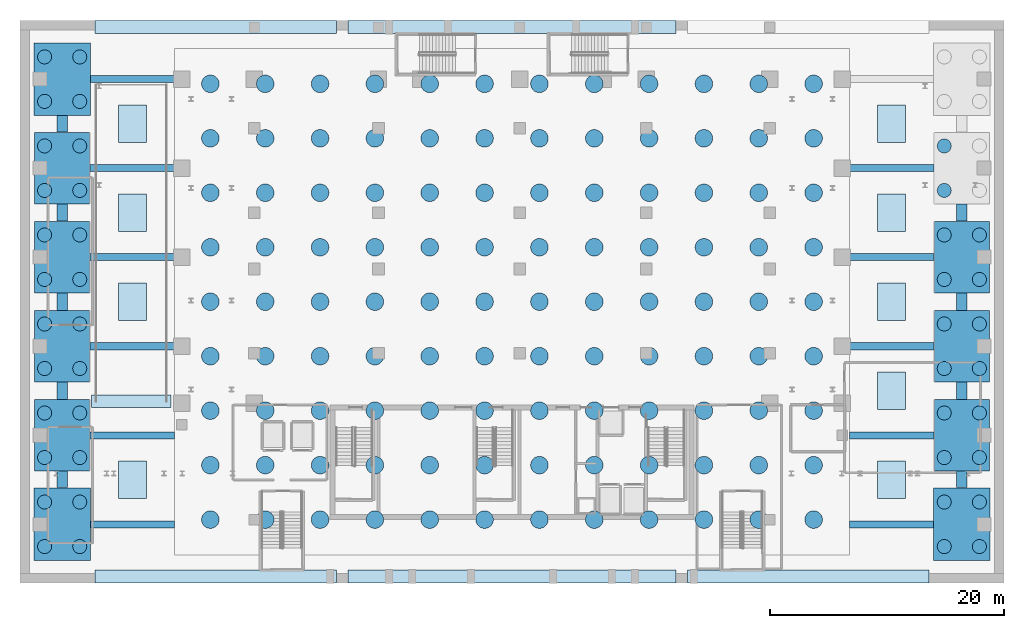
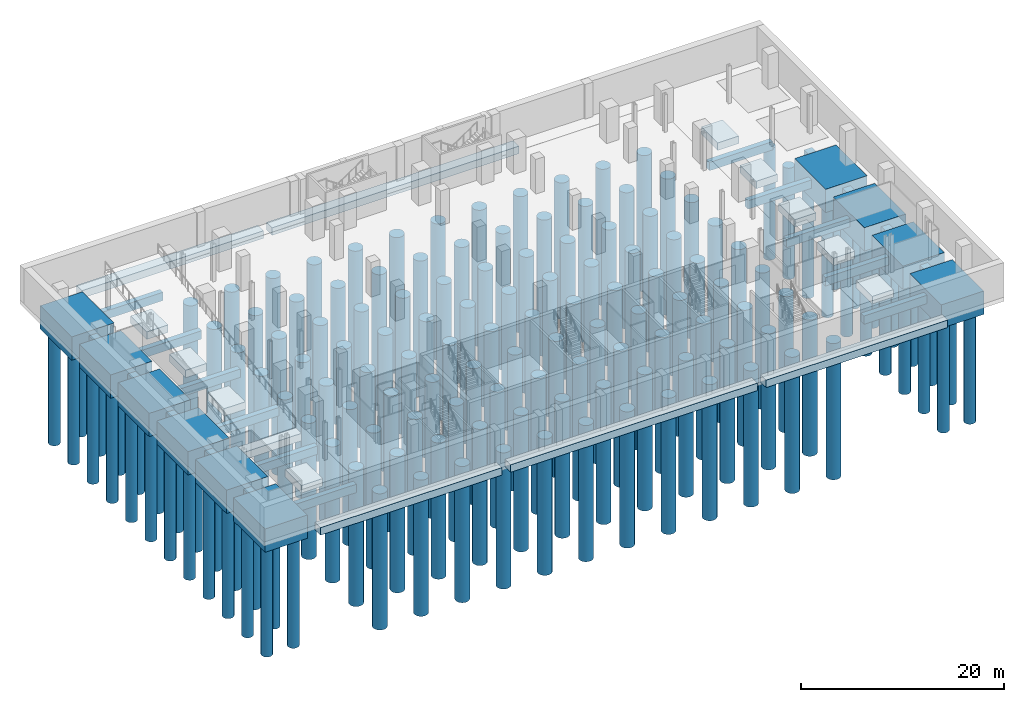
# One storey, part 1 of 18: 150 piles, 45 footings.
"""IFC4 building model written with IfcOpenShell, lengths in metres."""

from ifc_helpers import new_model, si_unit, direction, frame, origin, origin_2d, place, context, subcontext, project, spatial, rectangle, circle, extrude, material, material_profile, profile_set, type_object, element, save


model = new_model("IFC4")

# Units and contexts
model_context = context("Model", 3, precision=1e-05, world=origin(), true_north=direction((0.0, 1.0)))
body_context = subcontext(model_context, "Body", "Model", "MODEL_VIEW")
ifc_project = project(units=[si_unit("LENGTHUNIT", "METRE"), si_unit("AREAUNIT", "SQUARE_METRE"), si_unit("VOLUMEUNIT", "CUBIC_METRE"), si_unit("PLANEANGLEUNIT", "RADIAN"), si_unit("MASSUNIT", "GRAM", prefix="KILO")], contexts=[model_context])

# Site, building, storey
site_placement = place(None, origin())
site = spatial("IfcSite", under=ifc_project, at=site_placement, CompositionType="ELEMENT")
building_placement = place(site_placement, origin())
building = spatial("IfcBuilding", under=site, at=building_placement, Name="Ndaravel Arena Tower", CompositionType="ELEMENT")
storey_placement = place(building_placement, frame((0.0, 0.0, -9.0)))
storey = spatial("IfcBuildingStorey", under=building, at=storey_placement, Name="B02", CompositionType="ELEMENT", Elevation=-9.0)

# Footings
ifc_material_1 = material(Name="Concrete C40/50", Category="concrete")
ifc_material_profile_1 = material_profile(ifc_material_1, rectangle(XDim=0.89990234375, YDim=1.199951171875, at=origin_2d()), Name="RC 900x1200")
ifc_profile_set_1 = profile_set([ifc_material_profile_1], Name="Concrete C40/50")
footing_type_1 = type_object("IfcFootingType", Name="FTG-GB1", PredefinedType="FOOTING_BEAM", material=ifc_profile_set_1)
footing_1_placement = place(storey_placement, frame((3.60009765625, 8.1201171875, -1.1201171875), z_axis=(0.0, 1.0, 0.0), x_axis=(-1.0, 0.0, 0.0)))
element("IfcFooting", 1, at=footing_1_placement, inside=storey, type_object=footing_type_1, Name="Ground Tie Beam 01", PredefinedType="FOOTING_BEAM", context=body_context, shape_type="SweptSolid", body=[
    extrude(rectangle(XDim=0.89990234375, YDim=1.199951171875, at=origin_2d()), origin(), (0.0, 0.0, 1.0), 1.409912109375),
])
for number, where, z_axis, x_axis, name in (
    (2, (3.60009765625, 15.669921875, -1.1201171875), (0.0, 1.0, 0.0), (-1.0, 0.0, 0.0), "Ground Tie Beam 02"),
    (3, (3.60009765625, 23.27001953125, -1.1201171875), (0.0, 1.0, 0.0), (-1.0, 0.0, 0.0), "Ground Tie Beam 03"),
    (4, (3.60009765625, 30.8701171875, -1.1201171875), (0.0, 1.0, 0.0), (-1.0, 0.0, 0.0), "Ground Tie Beam 04"),
):
    element("IfcFooting", number, at=place(storey_placement, frame(where, z_axis=z_axis, x_axis=x_axis)), inside=storey, type_object=footing_type_1, Name=name, PredefinedType="FOOTING_BEAM", context=body_context, shape_type="SweptSolid", body=[
        extrude(rectangle(XDim=0.89990234375, YDim=1.199951171875, at=origin_2d()), origin(), (0.0, 0.0, 1.0), 1.4599609375),
    ])
for number, where, z_axis, x_axis, name in (
    (5, (3.60009765625, 38.469970703125, -1.1201171875), (0.0, 1.0, 0.0), (-1.0, 0.0, 0.0), "Ground Tie Beam 05"),
    (6, (80.39990234375, 8.1201171875, -1.1201171875), (0.0, 1.0, 0.0), (-1.0, 0.0, 0.0), "Ground Tie Beam 12"),
):
    element("IfcFooting", number, at=place(storey_placement, frame(where, z_axis=z_axis, x_axis=x_axis)), inside=storey, type_object=footing_type_1, Name=name, PredefinedType="FOOTING_BEAM", context=body_context, shape_type="SweptSolid", body=[
        extrude(rectangle(XDim=0.89990234375, YDim=1.199951171875, at=origin_2d()), origin(), (0.0, 0.0, 1.0), 1.409912109375),
    ])
for number, where, z_axis, x_axis, name in (
    (7, (80.39990234375, 15.669921875, -1.1201171875), (0.0, 1.0, 0.0), (-1.0, 0.0, 0.0), "Ground Tie Beam 13"),
    (8, (80.39990234375, 23.27001953125, -1.1201171875), (0.0, 1.0, 0.0), (-1.0, 0.0, 0.0), "Ground Tie Beam 14"),
    (9, (80.39990234375, 30.8701171875, -1.1201171875), (0.0, 1.0, 0.0), (-1.0, 0.0, 0.0), "Ground Tie Beam 15"),
):
    element("IfcFooting", number, at=place(storey_placement, frame(where, z_axis=z_axis, x_axis=x_axis)), inside=storey, type_object=footing_type_1, Name=name, PredefinedType="FOOTING_BEAM", context=body_context, shape_type="SweptSolid", body=[
        extrude(rectangle(XDim=0.89990234375, YDim=1.199951171875, at=origin_2d()), origin(), (0.0, 0.0, 1.0), 1.4599609375),
    ])
ifc_material_2 = material(Name="Concrete C40/50", Category="concrete")
ifc_material_profile_2 = material_profile(ifc_material_2, rectangle(XDim=0.60009765625, YDim=1.0, at=origin_2d()), Name="RC 600x1000")
ifc_profile_set_2 = profile_set([ifc_material_profile_2], Name="Concrete C40/50")
footing_type_2 = type_object("IfcFootingType", Name="FTG-GB2", PredefinedType="FOOTING_BEAM", material=ifc_profile_set_2)
footing_2_placement = place(storey_placement, frame((6.02001953125, 5.0, -1.02001953125), z_axis=(1.0, 0.0, 0.0), x_axis=(0.0, 1.0, 0.0)))
element("IfcFooting", 10, at=footing_2_placement, inside=storey, type_object=footing_type_2, Name="Ground Tie Beam 06", PredefinedType="FOOTING_BEAM", context=body_context, shape_type="SweptSolid", body=[
    extrude(rectangle(XDim=0.60009765625, YDim=1.0, at=origin_2d()), origin(), (0.0, 0.0, 1.0), 7.159912109375),
])
for number, where, z_axis, x_axis, name in (
    (11, (5.969970703125, 12.60009765625, -1.02001953125), (1.0, 0.0, 0.0), (0.0, 1.0, 0.0), "Ground Tie Beam 07"),
    (12, (5.969970703125, 20.199951171875, -1.02001953125), (1.0, 0.0, 0.0), (0.0, 1.0, 0.0), "Ground Tie Beam 08"),
    (13, (5.969970703125, 27.800048828125, -1.02001953125), (1.0, 0.0, 0.0), (0.0, 1.0, 0.0), "Ground Tie Beam 09"),
    (14, (5.969970703125, 35.39990234375, -1.02001953125), (1.0, 0.0, 0.0), (0.0, 1.0, 0.0), "Ground Tie Beam 10"),
):
    element("IfcFooting", number, at=place(storey_placement, frame(where, z_axis=z_axis, x_axis=x_axis)), inside=storey, type_object=footing_type_2, Name=name, PredefinedType="FOOTING_BEAM", context=body_context, shape_type="SweptSolid", body=[
        extrude(rectangle(XDim=0.60009765625, YDim=1.0, at=origin_2d()), origin(), (0.0, 0.0, 1.0), 7.2099609375),
    ])
for number, where, z_axis, x_axis, name in (
    (15, (6.02001953125, 43.0, -1.02001953125), (1.0, 0.0, 0.0), (0.0, 1.0, 0.0), "Ground Tie Beam 11"),
    (16, (70.820068359375, 5.0, -1.02001953125), (1.0, 0.0, 0.0), (0.0, 1.0, 0.0), "Ground Tie Beam 17"),
):
    element("IfcFooting", number, at=place(storey_placement, frame(where, z_axis=z_axis, x_axis=x_axis)), inside=storey, type_object=footing_type_2, Name=name, PredefinedType="FOOTING_BEAM", context=body_context, shape_type="SweptSolid", body=[
        extrude(rectangle(XDim=0.60009765625, YDim=1.0, at=origin_2d()), origin(), (0.0, 0.0, 1.0), 7.159912109375),
    ])
for number, where, z_axis, x_axis, name in (
    (17, (70.820068359375, 12.60009765625, -1.02001953125), (1.0, 0.0, 0.0), (0.0, 1.0, 0.0), "Ground Tie Beam 18"),
    (18, (70.820068359375, 20.199951171875, -1.02001953125), (1.0, 0.0, 0.0), (0.0, 1.0, 0.0), "Ground Tie Beam 19"),
    (19, (70.820068359375, 27.800048828125, -1.02001953125), (1.0, 0.0, 0.0), (0.0, 1.0, 0.0), "Ground Tie Beam 20"),
    (20, (70.820068359375, 35.39990234375, -1.02001953125), (1.0, 0.0, 0.0), (0.0, 1.0, 0.0), "Ground Tie Beam 21"),
):
    element("IfcFooting", number, at=place(storey_placement, frame(where, z_axis=z_axis, x_axis=x_axis)), inside=storey, type_object=footing_type_2, Name=name, PredefinedType="FOOTING_BEAM", context=body_context, shape_type="SweptSolid", body=[
        extrude(rectangle(XDim=0.60009765625, YDim=1.0, at=origin_2d()), origin(), (0.0, 0.0, 1.0), 7.2099609375),
    ])
ifc_material_3 = material(Name="Concrete C40/50", Category="concrete")
footing_type_3 = type_object("IfcFootingType", Name="FTG-PAD1", PredefinedType="PAD_FOOTING", material=ifc_material_3)
for number, where, z_axis, x_axis, name in (
    (21, (9.60009765625, 8.800048828125, -1.419921875), (0.0, 0.0, 1.0), (1.0, 0.0, 0.0), "Substructure Bearing Pad Footing 01"),
    (22, (9.60009765625, 24.0, -1.419921875), (0.0, 0.0, 1.0), (1.0, 0.0, 0.0), "Substructure Bearing Pad Footing 02"),
    (23, (9.60009765625, 31.60009765625, -1.419921875), (0.0, 0.0, 1.0), (1.0, 0.0, 0.0), "Substructure Bearing Pad Footing 03"),
    (24, (9.60009765625, 39.199951171875, -1.419921875), (0.0, 0.0, 1.0), (1.0, 0.0, 0.0), "Substructure Bearing Pad Footing 04"),
    (25, (74.39990234375, 8.800048828125, -1.419921875), (0.0, 0.0, 1.0), (1.0, 0.0, 0.0), "Substructure Bearing Pad Footing 05"),
    (26, (74.39990234375, 16.39990234375, -1.419921875), (0.0, 0.0, 1.0), (1.0, 0.0, 0.0), "Substructure Bearing Pad Footing 06"),
    (27, (74.39990234375, 24.0, -1.419921875), (0.0, 0.0, 1.0), (1.0, 0.0, 0.0), "Substructure Bearing Pad Footing 07"),
    (28, (74.39990234375, 31.60009765625, -1.419921875), (0.0, 0.0, 1.0), (1.0, 0.0, 0.0), "Substructure Bearing Pad Footing 08"),
    (29, (74.39990234375, 39.199951171875, -1.419921875), (0.0, 0.0, 1.0), (1.0, 0.0, 0.0), "Substructure Bearing Pad Footing 09"),
):
    element("IfcFooting", number, at=place(storey_placement, frame(where, z_axis=z_axis, x_axis=x_axis)), inside=storey, type_object=footing_type_3, Name=name, PredefinedType="PAD_FOOTING", context=body_context, shape_type="SweptSolid", body=[
        extrude(rectangle(XDim=2.39990234375, YDim=3.199951171875, at=origin_2d()), origin(), (0.0, 0.0, 1.0), 0.89990234375),
    ])
ifc_material_4 = material(Name="Concrete C40/50", Category="concrete")
footing_type_4 = type_object("IfcFootingType", Name="FTG-PC1", PredefinedType="PILE_CAP", material=ifc_material_4)
for number, where, z_axis, x_axis, name in (
    (30, (3.60009765625, 5.0, -2.7998046875), (0.0, 0.0, 1.0), (1.0, 0.0, 0.0), "Pile Cap PCAP-W01"),
    (31, (3.60009765625, 43.0, -2.7998046875), (0.0, 0.0, 1.0), (1.0, 0.0, 0.0), "Pile Cap PCAP-W06"),
    (32, (80.39990234375, 5.0, -2.7998046875), (0.0, 0.0, 1.0), (1.0, 0.0, 0.0), "Pile Cap PCAP-E01"),
):
    element("IfcFooting", number, at=place(storey_placement, frame(where, z_axis=z_axis, x_axis=x_axis)), inside=storey, type_object=footing_type_4, Name=name, PredefinedType="PILE_CAP", context=body_context, shape_type="SweptSolid", body=[
        extrude(rectangle(XDim=4.800048828125, YDim=6.199951171875, at=origin_2d()), origin(), (0.0, 0.0, 1.0), 2.800048828125),
    ])
ifc_material_5 = material(Name="Concrete C40/50", Category="concrete")
footing_type_5 = type_object("IfcFootingType", Name="FTG-PC2", PredefinedType="PILE_CAP", material=ifc_material_5)
for number, where, z_axis, x_axis, name in (
    (33, (3.60009765625, 12.60009765625, -2.7998046875), (0.0, 0.0, 1.0), (1.0, 0.0, 0.0), "Pile Cap PCAP-W02"),
    (34, (3.60009765625, 20.199951171875, -2.7998046875), (0.0, 0.0, 1.0), (1.0, 0.0, 0.0), "Pile Cap PCAP-W03"),
    (35, (3.60009765625, 27.800048828125, -2.7998046875), (0.0, 0.0, 1.0), (1.0, 0.0, 0.0), "Pile Cap PCAP-W04"),
    (36, (3.60009765625, 35.39990234375, -2.7998046875), (0.0, 0.0, 1.0), (1.0, 0.0, 0.0), "Pile Cap PCAP-W05"),
    (37, (80.39990234375, 12.60009765625, -2.7998046875), (0.0, 0.0, 1.0), (1.0, 0.0, 0.0), "Pile Cap PCAP-E02"),
    (38, (80.39990234375, 20.199951171875, -2.7998046875), (0.0, 0.0, 1.0), (1.0, 0.0, 0.0), "Pile Cap PCAP-E03"),
    (39, (80.39990234375, 27.800048828125, -2.7998046875), (0.0, 0.0, 1.0), (1.0, 0.0, 0.0), "Pile Cap PCAP-E04"),
):
    element("IfcFooting", number, at=place(storey_placement, frame(where, z_axis=z_axis, x_axis=x_axis)), inside=storey, type_object=footing_type_5, Name=name, PredefinedType="PILE_CAP", context=body_context, shape_type="SweptSolid", body=[
        extrude(rectangle(XDim=4.699951171875, YDim=6.10009765625, at=origin_2d()), origin(), (0.0, 0.0, 1.0), 2.800048828125),
    ])
ifc_material_6 = material(Name="Concrete C40/50", Category="concrete")
ifc_material_profile_3 = material_profile(ifc_material_6, rectangle(XDim=1.10009765625, YDim=0.89990234375, at=origin_2d()), Name="RC 1100x900")
ifc_profile_set_3 = profile_set([ifc_material_profile_3], Name="Concrete C40/50")
footing_type_6 = type_object("IfcFootingType", Name="FTG-SF1", PredefinedType="STRIP_FOOTING", material=ifc_profile_set_3)
footing_3_placement = place(storey_placement, frame((6.39990234375, 0.550048828125, -0.969970703125), z_axis=(1.0, 0.0, 0.0), x_axis=(0.0, 1.0, 0.0)))
element("IfcFooting", 40, at=footing_3_placement, inside=storey, type_object=footing_type_6, Name="Perimeter Strip Footing 01", PredefinedType="STRIP_FOOTING", context=body_context, shape_type="SweptSolid", body=[
    extrude(rectangle(XDim=1.10009765625, YDim=0.89990234375, at=origin_2d()), origin(), (0.0, 0.0, 1.0), 20.60009765625),
])
footing_4_placement = place(storey_placement, frame((28.0, 0.550048828125, -0.969970703125), z_axis=(1.0, 0.0, 0.0), x_axis=(0.0, 1.0, 0.0)))
element("IfcFooting", 41, at=footing_4_placement, inside=storey, type_object=footing_type_6, Name="Perimeter Strip Footing 02", PredefinedType="STRIP_FOOTING", context=body_context, shape_type="SweptSolid", body=[
    extrude(rectangle(XDim=1.10009765625, YDim=0.89990234375, at=origin_2d()), origin(), (0.0, 0.0, 1.0), 28.0),
])
for number, where, z_axis, x_axis, name in (
    (42, (57.0, 0.550048828125, -0.969970703125), (1.0, 0.0, 0.0), (0.0, 1.0, 0.0), "Perimeter Strip Footing 03"),
    (43, (6.39990234375, 47.449951171875, -0.969970703125), (1.0, 0.0, 0.0), (0.0, 1.0, 0.0), "Perimeter Strip Footing 04"),
):
    element("IfcFooting", number, at=place(storey_placement, frame(where, z_axis=z_axis, x_axis=x_axis)), inside=storey, type_object=footing_type_6, Name=name, PredefinedType="STRIP_FOOTING", context=body_context, shape_type="SweptSolid", body=[
        extrude(rectangle(XDim=1.10009765625, YDim=0.89990234375, at=origin_2d()), origin(), (0.0, 0.0, 1.0), 20.60009765625),
    ])
footing_5_placement = place(storey_placement, frame((28.0, 47.449951171875, -0.969970703125), z_axis=(1.0, 0.0, 0.0), x_axis=(0.0, 1.0, 0.0)))
element("IfcFooting", 44, at=footing_5_placement, inside=storey, type_object=footing_type_6, Name="Perimeter Strip Footing 05", PredefinedType="STRIP_FOOTING", context=body_context, shape_type="SweptSolid", body=[
    extrude(rectangle(XDim=1.10009765625, YDim=0.89990234375, at=origin_2d()), origin(), (0.0, 0.0, 1.0), 28.0),
])
footing_6_placement = place(storey_placement, frame((6.10009765625, 15.5, -0.969970703125), z_axis=(1.0, 0.0, 0.0), x_axis=(0.0, 1.0, 0.0)))
element("IfcFooting", 45, at=footing_6_placement, inside=storey, type_object=footing_type_6, Name="B02 Vehicle Ramp Toe Strip Footing", PredefinedType="STRIP_FOOTING", context=body_context, shape_type="SweptSolid", body=[
    extrude(rectangle(XDim=1.10009765625, YDim=0.89990234375, at=origin_2d()), origin(), (0.0, 0.0, 1.0), 6.7998046875),
])

# Piles
ifc_material_7 = material(Name="Concrete C40/50", Category="concrete")
ifc_material_profile_4 = material_profile(ifc_material_7, circle(Radius=0.75, at=origin_2d()), Name="BORED PILE D1500")
ifc_profile_set_4 = profile_set([ifc_material_profile_4], Name="Concrete C40/50")
pile_type_1 = type_object("IfcPileType", Name="PILE-P1-D1500", PredefinedType="BORED", material=ifc_profile_set_4)
for number, where, z_axis, x_axis, name in (
    (46, (16.25, 5.39990234375, -2.64990234375), (0.0, 0.0, -1.0), (1.0, 0.0, 0.0), "Bored Pile PILE-P1-001"),
    (47, (20.931884765625, 5.39990234375, -2.64990234375), (0.0, 0.0, -1.0), (1.0, 0.0, 0.0), "Bored Pile PILE-P1-002"),
    (48, (25.613525390625, 5.39990234375, -2.64990234375), (0.0, 0.0, -1.0), (1.0, 0.0, 0.0), "Bored Pile PILE-P1-003"),
    (49, (30.29541015625, 5.39990234375, -2.64990234375), (0.0, 0.0, -1.0), (1.0, 0.0, 0.0), "Bored Pile PILE-P1-004"),
    (50, (34.977294921875, 5.39990234375, -2.64990234375), (0.0, 0.0, -1.0), (1.0, 0.0, 0.0), "Bored Pile PILE-P1-005"),
    (51, (39.6591796875, 5.39990234375, -2.64990234375), (0.0, 0.0, -1.0), (1.0, 0.0, 0.0), "Bored Pile PILE-P1-006"),
    (52, (44.3408203125, 5.39990234375, -2.64990234375), (0.0, 0.0, -1.0), (1.0, 0.0, 0.0), "Bored Pile PILE-P1-007"),
    (53, (49.022705078125, 5.39990234375, -2.64990234375), (0.0, 0.0, -1.0), (1.0, 0.0, 0.0), "Bored Pile PILE-P1-008"),
    (54, (53.70458984375, 5.39990234375, -2.64990234375), (0.0, 0.0, -1.0), (1.0, 0.0, 0.0), "Bored Pile PILE-P1-009"),
    (55, (58.386474609375, 5.39990234375, -2.64990234375), (0.0, 0.0, -1.0), (1.0, 0.0, 0.0), "Bored Pile PILE-P1-010"),
    (56, (63.068115234375, 5.39990234375, -2.64990234375), (0.0, 0.0, -1.0), (1.0, 0.0, 0.0), "Bored Pile PILE-P1-011"),
    (57, (67.75, 5.39990234375, -2.64990234375), (0.0, 0.0, -1.0), (1.0, 0.0, 0.0), "Bored Pile PILE-P1-012"),
    (58, (16.25, 10.050048828125, -2.64990234375), (0.0, 0.0, -1.0), (1.0, 0.0, 0.0), "Bored Pile PILE-P1-013"),
    (59, (20.931884765625, 10.050048828125, -2.64990234375), (0.0, 0.0, -1.0), (1.0, 0.0, 0.0), "Bored Pile PILE-P1-014"),
    (60, (25.613525390625, 10.050048828125, -2.64990234375), (0.0, 0.0, -1.0), (1.0, 0.0, 0.0), "Bored Pile PILE-P1-015"),
    (61, (30.29541015625, 10.050048828125, -2.64990234375), (0.0, 0.0, -1.0), (1.0, 0.0, 0.0), "Bored Pile PILE-P1-016"),
    (62, (34.977294921875, 10.050048828125, -2.64990234375), (0.0, 0.0, -1.0), (1.0, 0.0, 0.0), "Bored Pile PILE-P1-017"),
    (63, (39.6591796875, 10.050048828125, -2.64990234375), (0.0, 0.0, -1.0), (1.0, 0.0, 0.0), "Bored Pile PILE-P1-018"),
    (64, (44.3408203125, 10.050048828125, -2.64990234375), (0.0, 0.0, -1.0), (1.0, 0.0, 0.0), "Bored Pile PILE-P1-019"),
    (65, (49.022705078125, 10.050048828125, -2.64990234375), (0.0, 0.0, -1.0), (1.0, 0.0, 0.0), "Bored Pile PILE-P1-020"),
    (66, (53.70458984375, 10.050048828125, -2.64990234375), (0.0, 0.0, -1.0), (1.0, 0.0, 0.0), "Bored Pile PILE-P1-021"),
    (67, (58.386474609375, 10.050048828125, -2.64990234375), (0.0, 0.0, -1.0), (1.0, 0.0, 0.0), "Bored Pile PILE-P1-022"),
    (68, (63.068115234375, 10.050048828125, -2.64990234375), (0.0, 0.0, -1.0), (1.0, 0.0, 0.0), "Bored Pile PILE-P1-023"),
    (69, (67.75, 10.050048828125, -2.64990234375), (0.0, 0.0, -1.0), (1.0, 0.0, 0.0), "Bored Pile PILE-P1-024"),
    (70, (16.25, 14.699951171875, -2.64990234375), (0.0, 0.0, -1.0), (1.0, 0.0, 0.0), "Bored Pile PILE-P1-025"),
    (71, (20.931884765625, 14.699951171875, -2.64990234375), (0.0, 0.0, -1.0), (1.0, 0.0, 0.0), "Bored Pile PILE-P1-026"),
    (72, (25.613525390625, 14.699951171875, -2.64990234375), (0.0, 0.0, -1.0), (1.0, 0.0, 0.0), "Bored Pile PILE-P1-027"),
    (73, (30.29541015625, 14.699951171875, -2.64990234375), (0.0, 0.0, -1.0), (1.0, 0.0, 0.0), "Bored Pile PILE-P1-028"),
    (74, (34.977294921875, 14.699951171875, -2.64990234375), (0.0, 0.0, -1.0), (1.0, 0.0, 0.0), "Bored Pile PILE-P1-029"),
    (75, (39.6591796875, 14.699951171875, -2.64990234375), (0.0, 0.0, -1.0), (1.0, 0.0, 0.0), "Bored Pile PILE-P1-030"),
    (76, (44.3408203125, 14.699951171875, -2.64990234375), (0.0, 0.0, -1.0), (1.0, 0.0, 0.0), "Bored Pile PILE-P1-031"),
    (77, (49.022705078125, 14.699951171875, -2.64990234375), (0.0, 0.0, -1.0), (1.0, 0.0, 0.0), "Bored Pile PILE-P1-032"),
    (78, (53.70458984375, 14.699951171875, -2.64990234375), (0.0, 0.0, -1.0), (1.0, 0.0, 0.0), "Bored Pile PILE-P1-033"),
    (79, (58.386474609375, 14.699951171875, -2.64990234375), (0.0, 0.0, -1.0), (1.0, 0.0, 0.0), "Bored Pile PILE-P1-034"),
    (80, (63.068115234375, 14.699951171875, -2.64990234375), (0.0, 0.0, -1.0), (1.0, 0.0, 0.0), "Bored Pile PILE-P1-035"),
    (81, (67.75, 14.699951171875, -2.64990234375), (0.0, 0.0, -1.0), (1.0, 0.0, 0.0), "Bored Pile PILE-P1-036"),
    (82, (16.25, 19.35009765625, -2.64990234375), (0.0, 0.0, -1.0), (1.0, 0.0, 0.0), "Bored Pile PILE-P1-037"),
    (83, (20.931884765625, 19.35009765625, -2.64990234375), (0.0, 0.0, -1.0), (1.0, 0.0, 0.0), "Bored Pile PILE-P1-038"),
    (84, (25.613525390625, 19.35009765625, -2.64990234375), (0.0, 0.0, -1.0), (1.0, 0.0, 0.0), "Bored Pile PILE-P1-039"),
    (85, (30.29541015625, 19.35009765625, -2.64990234375), (0.0, 0.0, -1.0), (1.0, 0.0, 0.0), "Bored Pile PILE-P1-040"),
    (86, (34.977294921875, 19.35009765625, -2.64990234375), (0.0, 0.0, -1.0), (1.0, 0.0, 0.0), "Bored Pile PILE-P1-041"),
    (87, (39.6591796875, 19.35009765625, -2.64990234375), (0.0, 0.0, -1.0), (1.0, 0.0, 0.0), "Bored Pile PILE-P1-042"),
    (88, (44.3408203125, 19.35009765625, -2.64990234375), (0.0, 0.0, -1.0), (1.0, 0.0, 0.0), "Bored Pile PILE-P1-043"),
    (89, (49.022705078125, 19.35009765625, -2.64990234375), (0.0, 0.0, -1.0), (1.0, 0.0, 0.0), "Bored Pile PILE-P1-044"),
    (90, (53.70458984375, 19.35009765625, -2.64990234375), (0.0, 0.0, -1.0), (1.0, 0.0, 0.0), "Bored Pile PILE-P1-045"),
    (91, (58.386474609375, 19.35009765625, -2.64990234375), (0.0, 0.0, -1.0), (1.0, 0.0, 0.0), "Bored Pile PILE-P1-046"),
    (92, (63.068115234375, 19.35009765625, -2.64990234375), (0.0, 0.0, -1.0), (1.0, 0.0, 0.0), "Bored Pile PILE-P1-047"),
    (93, (67.75, 19.35009765625, -2.64990234375), (0.0, 0.0, -1.0), (1.0, 0.0, 0.0), "Bored Pile PILE-P1-048"),
    (94, (16.25, 24.0, -2.64990234375), (0.0, 0.0, -1.0), (1.0, 0.0, 0.0), "Bored Pile PILE-P1-049"),
    (95, (20.931884765625, 24.0, -2.64990234375), (0.0, 0.0, -1.0), (1.0, 0.0, 0.0), "Bored Pile PILE-P1-050"),
    (96, (25.613525390625, 24.0, -2.64990234375), (0.0, 0.0, -1.0), (1.0, 0.0, 0.0), "Bored Pile PILE-P1-051"),
    (97, (30.29541015625, 24.0, -2.64990234375), (0.0, 0.0, -1.0), (1.0, 0.0, 0.0), "Bored Pile PILE-P1-052"),
    (98, (34.977294921875, 24.0, -2.64990234375), (0.0, 0.0, -1.0), (1.0, 0.0, 0.0), "Bored Pile PILE-P1-053"),
    (99, (39.6591796875, 24.0, -2.64990234375), (0.0, 0.0, -1.0), (1.0, 0.0, 0.0), "Bored Pile PILE-P1-054"),
    (100, (44.3408203125, 24.0, -2.64990234375), (0.0, 0.0, -1.0), (1.0, 0.0, 0.0), "Bored Pile PILE-P1-055"),
    (101, (49.022705078125, 24.0, -2.64990234375), (0.0, 0.0, -1.0), (1.0, 0.0, 0.0), "Bored Pile PILE-P1-056"),
    (102, (53.70458984375, 24.0, -2.64990234375), (0.0, 0.0, -1.0), (1.0, 0.0, 0.0), "Bored Pile PILE-P1-057"),
    (103, (58.386474609375, 24.0, -2.64990234375), (0.0, 0.0, -1.0), (1.0, 0.0, 0.0), "Bored Pile PILE-P1-058"),
    (104, (63.068115234375, 24.0, -2.64990234375), (0.0, 0.0, -1.0), (1.0, 0.0, 0.0), "Bored Pile PILE-P1-059"),
    (105, (67.75, 24.0, -2.64990234375), (0.0, 0.0, -1.0), (1.0, 0.0, 0.0), "Bored Pile PILE-P1-060"),
    (106, (16.25, 28.64990234375, -2.64990234375), (0.0, 0.0, -1.0), (1.0, 0.0, 0.0), "Bored Pile PILE-P1-061"),
    (107, (20.931884765625, 28.64990234375, -2.64990234375), (0.0, 0.0, -1.0), (1.0, 0.0, 0.0), "Bored Pile PILE-P1-062"),
    (108, (25.613525390625, 28.64990234375, -2.64990234375), (0.0, 0.0, -1.0), (1.0, 0.0, 0.0), "Bored Pile PILE-P1-063"),
    (109, (30.29541015625, 28.64990234375, -2.64990234375), (0.0, 0.0, -1.0), (1.0, 0.0, 0.0), "Bored Pile PILE-P1-064"),
    (110, (34.977294921875, 28.64990234375, -2.64990234375), (0.0, 0.0, -1.0), (1.0, 0.0, 0.0), "Bored Pile PILE-P1-065"),
    (111, (39.6591796875, 28.64990234375, -2.64990234375), (0.0, 0.0, -1.0), (1.0, 0.0, 0.0), "Bored Pile PILE-P1-066"),
    (112, (44.3408203125, 28.64990234375, -2.64990234375), (0.0, 0.0, -1.0), (1.0, 0.0, 0.0), "Bored Pile PILE-P1-067"),
    (113, (49.022705078125, 28.64990234375, -2.64990234375), (0.0, 0.0, -1.0), (1.0, 0.0, 0.0), "Bored Pile PILE-P1-068"),
    (114, (53.70458984375, 28.64990234375, -2.64990234375), (0.0, 0.0, -1.0), (1.0, 0.0, 0.0), "Bored Pile PILE-P1-069"),
    (115, (58.386474609375, 28.64990234375, -2.64990234375), (0.0, 0.0, -1.0), (1.0, 0.0, 0.0), "Bored Pile PILE-P1-070"),
    (116, (63.068115234375, 28.64990234375, -2.64990234375), (0.0, 0.0, -1.0), (1.0, 0.0, 0.0), "Bored Pile PILE-P1-071"),
    (117, (67.75, 28.64990234375, -2.64990234375), (0.0, 0.0, -1.0), (1.0, 0.0, 0.0), "Bored Pile PILE-P1-072"),
    (118, (16.25, 33.300048828125, -2.64990234375), (0.0, 0.0, -1.0), (1.0, 0.0, 0.0), "Bored Pile PILE-P1-073"),
    (119, (20.931884765625, 33.300048828125, -2.64990234375), (0.0, 0.0, -1.0), (1.0, 0.0, 0.0), "Bored Pile PILE-P1-074"),
    (120, (25.613525390625, 33.300048828125, -2.64990234375), (0.0, 0.0, -1.0), (1.0, 0.0, 0.0), "Bored Pile PILE-P1-075"),
    (121, (30.29541015625, 33.300048828125, -2.64990234375), (0.0, 0.0, -1.0), (1.0, 0.0, 0.0), "Bored Pile PILE-P1-076"),
    (122, (34.977294921875, 33.300048828125, -2.64990234375), (0.0, 0.0, -1.0), (1.0, 0.0, 0.0), "Bored Pile PILE-P1-077"),
    (123, (39.6591796875, 33.300048828125, -2.64990234375), (0.0, 0.0, -1.0), (1.0, 0.0, 0.0), "Bored Pile PILE-P1-078"),
    (124, (44.3408203125, 33.300048828125, -2.64990234375), (0.0, 0.0, -1.0), (1.0, 0.0, 0.0), "Bored Pile PILE-P1-079"),
    (125, (49.022705078125, 33.300048828125, -2.64990234375), (0.0, 0.0, -1.0), (1.0, 0.0, 0.0), "Bored Pile PILE-P1-080"),
    (126, (53.70458984375, 33.300048828125, -2.64990234375), (0.0, 0.0, -1.0), (1.0, 0.0, 0.0), "Bored Pile PILE-P1-081"),
    (127, (58.386474609375, 33.300048828125, -2.64990234375), (0.0, 0.0, -1.0), (1.0, 0.0, 0.0), "Bored Pile PILE-P1-082"),
    (128, (63.068115234375, 33.300048828125, -2.64990234375), (0.0, 0.0, -1.0), (1.0, 0.0, 0.0), "Bored Pile PILE-P1-083"),
    (129, (67.75, 33.300048828125, -2.64990234375), (0.0, 0.0, -1.0), (1.0, 0.0, 0.0), "Bored Pile PILE-P1-084"),
    (130, (16.25, 37.949951171875, -2.64990234375), (0.0, 0.0, -1.0), (1.0, 0.0, 0.0), "Bored Pile PILE-P1-085"),
    (131, (20.931884765625, 37.949951171875, -2.64990234375), (0.0, 0.0, -1.0), (1.0, 0.0, 0.0), "Bored Pile PILE-P1-086"),
    (132, (25.613525390625, 37.949951171875, -2.64990234375), (0.0, 0.0, -1.0), (1.0, 0.0, 0.0), "Bored Pile PILE-P1-087"),
    (133, (30.29541015625, 37.949951171875, -2.64990234375), (0.0, 0.0, -1.0), (1.0, 0.0, 0.0), "Bored Pile PILE-P1-088"),
    (134, (34.977294921875, 37.949951171875, -2.64990234375), (0.0, 0.0, -1.0), (1.0, 0.0, 0.0), "Bored Pile PILE-P1-089"),
    (135, (39.6591796875, 37.949951171875, -2.64990234375), (0.0, 0.0, -1.0), (1.0, 0.0, 0.0), "Bored Pile PILE-P1-090"),
    (136, (44.3408203125, 37.949951171875, -2.64990234375), (0.0, 0.0, -1.0), (1.0, 0.0, 0.0), "Bored Pile PILE-P1-091"),
    (137, (49.022705078125, 37.949951171875, -2.64990234375), (0.0, 0.0, -1.0), (1.0, 0.0, 0.0), "Bored Pile PILE-P1-092"),
    (138, (53.70458984375, 37.949951171875, -2.64990234375), (0.0, 0.0, -1.0), (1.0, 0.0, 0.0), "Bored Pile PILE-P1-093"),
    (139, (58.386474609375, 37.949951171875, -2.64990234375), (0.0, 0.0, -1.0), (1.0, 0.0, 0.0), "Bored Pile PILE-P1-094"),
    (140, (63.068115234375, 37.949951171875, -2.64990234375), (0.0, 0.0, -1.0), (1.0, 0.0, 0.0), "Bored Pile PILE-P1-095"),
    (141, (67.75, 37.949951171875, -2.64990234375), (0.0, 0.0, -1.0), (1.0, 0.0, 0.0), "Bored Pile PILE-P1-096"),
    (142, (16.25, 42.60009765625, -2.64990234375), (0.0, 0.0, -1.0), (1.0, 0.0, 0.0), "Bored Pile PILE-P1-097"),
    (143, (20.931884765625, 42.60009765625, -2.64990234375), (0.0, 0.0, -1.0), (1.0, 0.0, 0.0), "Bored Pile PILE-P1-098"),
    (144, (25.613525390625, 42.60009765625, -2.64990234375), (0.0, 0.0, -1.0), (1.0, 0.0, 0.0), "Bored Pile PILE-P1-099"),
    (145, (30.29541015625, 42.60009765625, -2.64990234375), (0.0, 0.0, -1.0), (1.0, 0.0, 0.0), "Bored Pile PILE-P1-100"),
    (146, (34.977294921875, 42.60009765625, -2.64990234375), (0.0, 0.0, -1.0), (1.0, 0.0, 0.0), "Bored Pile PILE-P1-101"),
    (147, (39.6591796875, 42.60009765625, -2.64990234375), (0.0, 0.0, -1.0), (1.0, 0.0, 0.0), "Bored Pile PILE-P1-102"),
    (148, (44.3408203125, 42.60009765625, -2.64990234375), (0.0, 0.0, -1.0), (1.0, 0.0, 0.0), "Bored Pile PILE-P1-103"),
    (149, (49.022705078125, 42.60009765625, -2.64990234375), (0.0, 0.0, -1.0), (1.0, 0.0, 0.0), "Bored Pile PILE-P1-104"),
    (150, (53.70458984375, 42.60009765625, -2.64990234375), (0.0, 0.0, -1.0), (1.0, 0.0, 0.0), "Bored Pile PILE-P1-105"),
    (151, (58.386474609375, 42.60009765625, -2.64990234375), (0.0, 0.0, -1.0), (1.0, 0.0, 0.0), "Bored Pile PILE-P1-106"),
    (152, (63.068115234375, 42.60009765625, -2.64990234375), (0.0, 0.0, -1.0), (1.0, 0.0, 0.0), "Bored Pile PILE-P1-107"),
    (153, (67.75, 42.60009765625, -2.64990234375), (0.0, 0.0, -1.0), (1.0, 0.0, 0.0), "Bored Pile PILE-P1-108"),
):
    element("IfcPile", number, at=place(storey_placement, frame(where, z_axis=z_axis, x_axis=x_axis)), inside=storey, type_object=pile_type_1, Name=name, PredefinedType="BORED", context=body_context, shape_type="SweptSolid", body=[
        extrude(circle(Radius=0.75, at=origin_2d()), origin(), (0.0, 0.0, 1.0), 16.35009765625),
    ])
ifc_material_8 = material(Name="Concrete C40/50", Category="concrete")
ifc_material_profile_5 = material_profile(ifc_material_8, circle(Radius=0.60009765625, at=origin_2d()), Name="BORED PILE D1200")
ifc_profile_set_5 = profile_set([ifc_material_profile_5], Name="Concrete C40/50")
pile_type_2 = type_object("IfcPileType", Name="PILE-P2-D1200", PredefinedType="BORED", material=ifc_profile_set_5)
for number, where, z_axis, x_axis, name in (
    (154, (2.10009765625, 3.10009765625, -2.64990234375), (0.0, 0.0, -1.0), (1.0, 0.0, 0.0), "Bored Pile PILE-P2-001"),
    (155, (2.10009765625, 6.89990234375, -2.64990234375), (0.0, 0.0, -1.0), (1.0, 0.0, 0.0), "Bored Pile PILE-P2-002"),
    (156, (5.10009765625, 3.10009765625, -2.64990234375), (0.0, 0.0, -1.0), (1.0, 0.0, 0.0), "Bored Pile PILE-P2-003"),
    (157, (5.10009765625, 6.89990234375, -2.64990234375), (0.0, 0.0, -1.0), (1.0, 0.0, 0.0), "Bored Pile PILE-P2-004"),
    (158, (2.10009765625, 10.699951171875, -2.64990234375), (0.0, 0.0, -1.0), (1.0, 0.0, 0.0), "Bored Pile PILE-P2-005"),
    (159, (2.10009765625, 14.5, -2.64990234375), (0.0, 0.0, -1.0), (1.0, 0.0, 0.0), "Bored Pile PILE-P2-006"),
    (160, (5.10009765625, 10.699951171875, -2.64990234375), (0.0, 0.0, -1.0), (1.0, 0.0, 0.0), "Bored Pile PILE-P2-007"),
    (161, (5.10009765625, 14.5, -2.64990234375), (0.0, 0.0, -1.0), (1.0, 0.0, 0.0), "Bored Pile PILE-P2-008"),
    (162, (2.10009765625, 18.300048828125, -2.64990234375), (0.0, 0.0, -1.0), (1.0, 0.0, 0.0), "Bored Pile PILE-P2-009"),
    (163, (2.10009765625, 22.10009765625, -2.64990234375), (0.0, 0.0, -1.0), (1.0, 0.0, 0.0), "Bored Pile PILE-P2-010"),
    (164, (5.10009765625, 18.300048828125, -2.64990234375), (0.0, 0.0, -1.0), (1.0, 0.0, 0.0), "Bored Pile PILE-P2-011"),
    (165, (5.10009765625, 22.10009765625, -2.64990234375), (0.0, 0.0, -1.0), (1.0, 0.0, 0.0), "Bored Pile PILE-P2-012"),
    (166, (2.10009765625, 25.89990234375, -2.64990234375), (0.0, 0.0, -1.0), (1.0, 0.0, 0.0), "Bored Pile PILE-P2-013"),
    (167, (2.10009765625, 29.699951171875, -2.64990234375), (0.0, 0.0, -1.0), (1.0, 0.0, 0.0), "Bored Pile PILE-P2-014"),
    (168, (5.10009765625, 25.89990234375, -2.64990234375), (0.0, 0.0, -1.0), (1.0, 0.0, 0.0), "Bored Pile PILE-P2-015"),
    (169, (5.10009765625, 29.699951171875, -2.64990234375), (0.0, 0.0, -1.0), (1.0, 0.0, 0.0), "Bored Pile PILE-P2-016"),
    (170, (2.10009765625, 33.5, -2.64990234375), (0.0, 0.0, -1.0), (1.0, 0.0, 0.0), "Bored Pile PILE-P2-017"),
    (171, (2.10009765625, 37.300048828125, -2.64990234375), (0.0, 0.0, -1.0), (1.0, 0.0, 0.0), "Bored Pile PILE-P2-018"),
    (172, (5.10009765625, 33.5, -2.64990234375), (0.0, 0.0, -1.0), (1.0, 0.0, 0.0), "Bored Pile PILE-P2-019"),
    (173, (5.10009765625, 37.300048828125, -2.64990234375), (0.0, 0.0, -1.0), (1.0, 0.0, 0.0), "Bored Pile PILE-P2-020"),
    (174, (2.10009765625, 41.10009765625, -2.64990234375), (0.0, 0.0, -1.0), (1.0, 0.0, 0.0), "Bored Pile PILE-P2-021"),
    (175, (2.10009765625, 44.89990234375, -2.64990234375), (0.0, 0.0, -1.0), (1.0, 0.0, 0.0), "Bored Pile PILE-P2-022"),
    (176, (5.10009765625, 41.10009765625, -2.64990234375), (0.0, 0.0, -1.0), (1.0, 0.0, 0.0), "Bored Pile PILE-P2-023"),
    (177, (5.10009765625, 44.89990234375, -2.64990234375), (0.0, 0.0, -1.0), (1.0, 0.0, 0.0), "Bored Pile PILE-P2-024"),
    (178, (78.89990234375, 3.10009765625, -2.64990234375), (0.0, 0.0, -1.0), (1.0, 0.0, 0.0), "Bored Pile PILE-P2-025"),
    (179, (78.89990234375, 6.89990234375, -2.64990234375), (0.0, 0.0, -1.0), (1.0, 0.0, 0.0), "Bored Pile PILE-P2-026"),
    (180, (81.89990234375, 3.10009765625, -2.64990234375), (0.0, 0.0, -1.0), (1.0, 0.0, 0.0), "Bored Pile PILE-P2-027"),
    (181, (81.89990234375, 6.89990234375, -2.64990234375), (0.0, 0.0, -1.0), (1.0, 0.0, 0.0), "Bored Pile PILE-P2-028"),
    (182, (78.89990234375, 10.699951171875, -2.64990234375), (0.0, 0.0, -1.0), (1.0, 0.0, 0.0), "Bored Pile PILE-P2-029"),
    (183, (78.89990234375, 14.5, -2.64990234375), (0.0, 0.0, -1.0), (1.0, 0.0, 0.0), "Bored Pile PILE-P2-030"),
    (184, (81.89990234375, 10.699951171875, -2.64990234375), (0.0, 0.0, -1.0), (1.0, 0.0, 0.0), "Bored Pile PILE-P2-031"),
    (185, (81.89990234375, 14.5, -2.64990234375), (0.0, 0.0, -1.0), (1.0, 0.0, 0.0), "Bored Pile PILE-P2-032"),
    (186, (78.89990234375, 18.300048828125, -2.64990234375), (0.0, 0.0, -1.0), (1.0, 0.0, 0.0), "Bored Pile PILE-P2-033"),
    (187, (78.89990234375, 22.10009765625, -2.64990234375), (0.0, 0.0, -1.0), (1.0, 0.0, 0.0), "Bored Pile PILE-P2-034"),
    (188, (81.89990234375, 18.300048828125, -2.64990234375), (0.0, 0.0, -1.0), (1.0, 0.0, 0.0), "Bored Pile PILE-P2-035"),
    (189, (81.89990234375, 22.10009765625, -2.64990234375), (0.0, 0.0, -1.0), (1.0, 0.0, 0.0), "Bored Pile PILE-P2-036"),
    (190, (78.89990234375, 25.89990234375, -2.64990234375), (0.0, 0.0, -1.0), (1.0, 0.0, 0.0), "Bored Pile PILE-P2-037"),
    (191, (78.89990234375, 29.699951171875, -2.64990234375), (0.0, 0.0, -1.0), (1.0, 0.0, 0.0), "Bored Pile PILE-P2-038"),
    (192, (81.89990234375, 25.89990234375, -2.64990234375), (0.0, 0.0, -1.0), (1.0, 0.0, 0.0), "Bored Pile PILE-P2-039"),
    (193, (81.89990234375, 29.699951171875, -2.64990234375), (0.0, 0.0, -1.0), (1.0, 0.0, 0.0), "Bored Pile PILE-P2-040"),
    (194, (78.89990234375, 33.5, -2.64990234375), (0.0, 0.0, -1.0), (1.0, 0.0, 0.0), "Bored Pile PILE-P2-041"),
    (195, (78.89990234375, 37.300048828125, -2.64990234375), (0.0, 0.0, -1.0), (1.0, 0.0, 0.0), "Bored Pile PILE-P2-042"),
):
    element("IfcPile", number, at=place(storey_placement, frame(where, z_axis=z_axis, x_axis=x_axis)), inside=storey, type_object=pile_type_2, Name=name, PredefinedType="BORED", context=body_context, shape_type="SweptSolid", body=[
        extrude(circle(Radius=0.60009765625, at=origin_2d()), origin(), (0.0, 0.0, 1.0), 13.35009765625),
    ])

save(model, "model.ifc")
